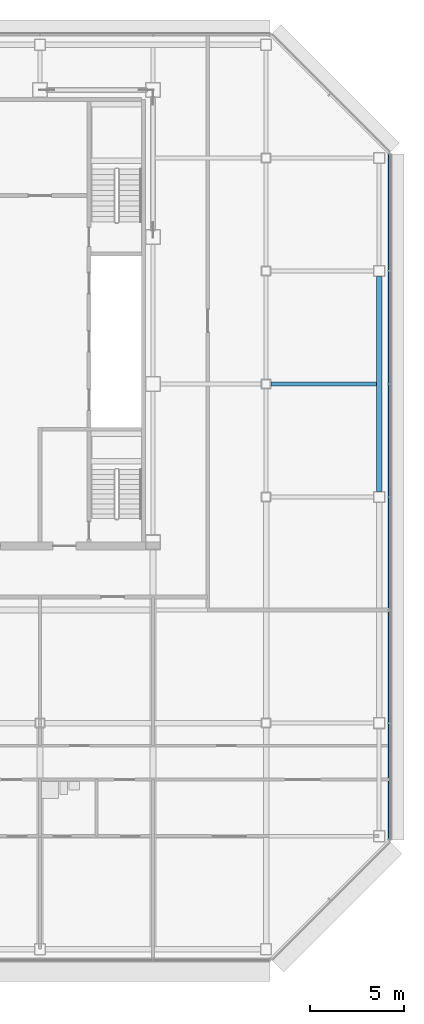
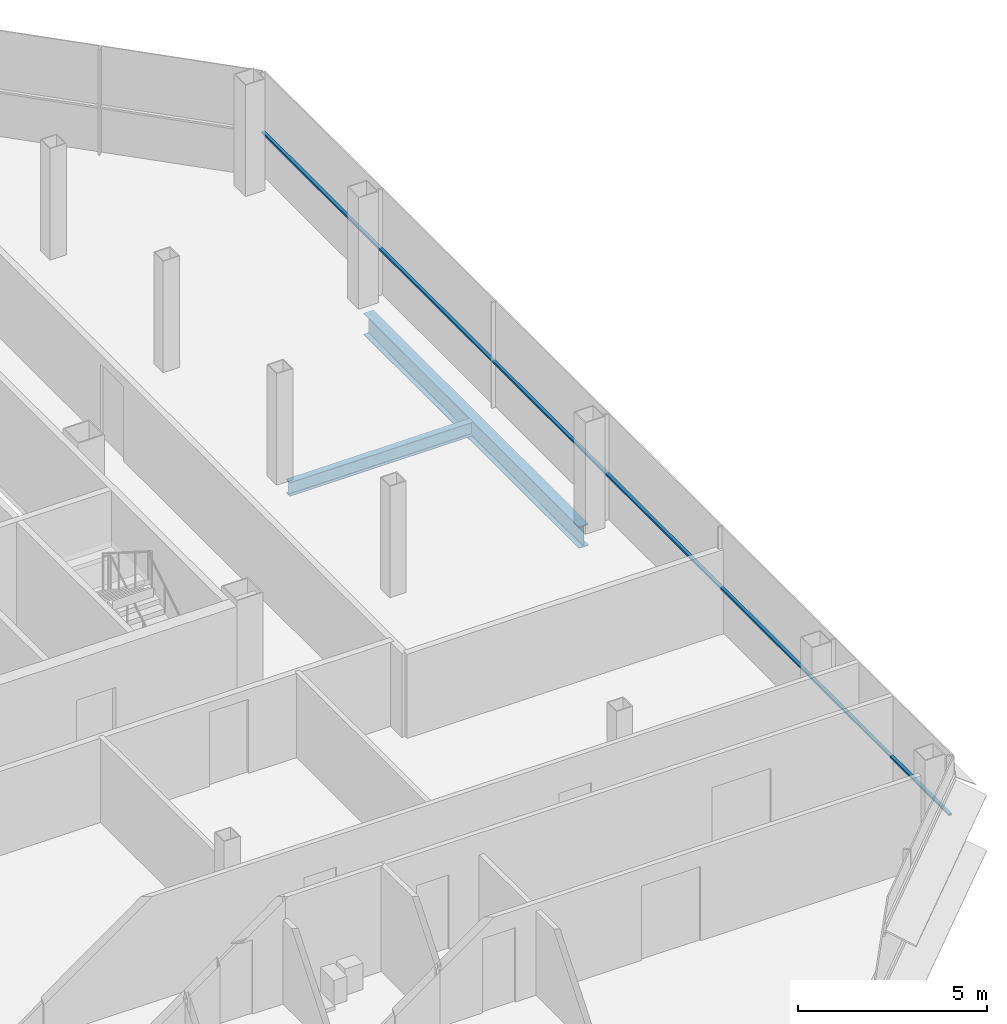
# One storey, part 18 of 28: 2 beams, 1 member, 1 element without a shape of its own.
"""IFC4 building model written with IfcOpenShell, lengths in metres."""

from ifc_helpers import new_model, si_unit, direction, frame, origin, origin_2d, place, context, subcontext, project, spatial, rectangle, i_section, extrude, material, material_profile, profile_set, type_object, element, aggregate, save


model = new_model("IFC4")

# Units and contexts
model_context = context("Model", 3, precision=1e-05, world=origin(), true_north=direction((0.0, 1.0)))
body_context = subcontext(model_context, "Body", "Model", "MODEL_VIEW")
ifc_project = project(units=[si_unit("LENGTHUNIT", "METRE"), si_unit("AREAUNIT", "SQUARE_METRE"), si_unit("VOLUMEUNIT", "CUBIC_METRE"), si_unit("PLANEANGLEUNIT", "RADIAN"), si_unit("MASSUNIT", "GRAM", prefix="KILO")], contexts=[model_context])

# Site, building, storey
site_placement = place(None, origin())
site = spatial("IfcSite", under=ifc_project, at=site_placement, CompositionType="ELEMENT")
building_placement = place(site_placement, origin())
building = spatial("IfcBuilding", under=site, at=building_placement, Name="Sorahane Residences", CompositionType="ELEMENT")
storey_placement = place(building_placement, frame((0.0, 0.0, 250.39990234375)))
storey = spatial("IfcBuildingStorey", under=building, at=storey_placement, Name="L59", CompositionType="ELEMENT", Elevation=250.39990234375)

# Curtain wall, member
ifc_material_1 = material(Name="Dark low-e glass and black anodised aluminium", Category="aluminium")
curtain_wall_type = type_object("IfcCurtainWallType", Name="Curtain wall CW-1 Typical unitised wall", PredefinedType="NOTDEFINED", material=ifc_material_1)
curtain_wall_placement = place(storey_placement, origin())
curtain_wall = element("IfcCurtainWall", 1, at=curtain_wall_placement, inside=storey, type_object=curtain_wall_type, Name="CW-1 curtain wall L59 E1", PredefinedType="NOTDEFINED")
ifc_material_2 = material(Name="Black anodised aluminium", Category="aluminium")
ifc_material_profile_1 = material_profile(ifc_material_2, rectangle(XDim=0.10009765625, YDim=0.06005859375, at=origin_2d()), Name="Curtain wall transom CW-1 black anodised aluminium 60x100")
ifc_profile_set_1 = profile_set([ifc_material_profile_1], Name="Black anodised aluminium")
member_type = type_object("IfcMemberType", Name="Curtain wall transom CW-1 black anodised aluminium 60x100", PredefinedType="USERDEFINED", material=ifc_profile_set_1)
member_placement = place(storey_placement, frame((54.530029296875, 5.801513671875, 1.5), z_axis=(0.0, 1.0, 0.0), x_axis=(-1.0, 0.0, 0.0)))
member = element("IfcMember", 2, at=member_placement, type_object=member_type, Name="CW-1 transom L59 E1", ObjectType="TRANSOM", PredefinedType="USERDEFINED", context=body_context, shape_type="SweptSolid", body=[
    extrude(rectangle(XDim=0.10009765625, YDim=0.06005859375, at=origin_2d()), origin(), (0.0, 0.0, 1.0), 36.39697265625),
])
aggregate(curtain_wall, [member])

# Beams
ifc_material_3 = material(Name="Steel Q355B", Category="steel")
ifc_material_profile_2 = material_profile(ifc_material_3, i_section(OverallWidth=0.199951171875, OverallDepth=0.449951171875, WebThickness=0.009033203125, FlangeThickness=0.013916015625, FilletRadius=0.02001953125, at=origin_2d()), Name="HN 450x200x9x14")
ifc_profile_set_2 = profile_set([ifc_material_profile_2], Name="Steel Q355B")
beam_type_1 = type_object("IfcBeamType", Name="Steel floor beam HN 450x200x9x14 Q355B", PredefinedType="BEAM", material=ifc_profile_set_2)
beam_1_placement = place(storey_placement, frame((48.25, 30.0, -0.40478515625), z_axis=(1.0, 0.0, 0.0), x_axis=(0.0, 1.0, 0.0)))
element("IfcBeam", 3, at=beam_1_placement, inside=storey, type_object=beam_type_1, Name="Beam L59 088", PredefinedType="BEAM", context=body_context, shape_type="SweptSolid", body=[
    extrude(i_section(OverallWidth=0.199951171875, OverallDepth=0.449951171875, WebThickness=0.009033203125, FlangeThickness=0.013916015625, FilletRadius=0.02001953125, at=origin_2d()), origin(), (0.0, 0.0, 1.0), 5.60009765625),
])
ifc_material_4 = material(Name="Steel Q355B", Category="steel")
ifc_material_profile_3 = material_profile(ifc_material_4, i_section(OverallWidth=0.300048828125, OverallDepth=0.699951171875, WebThickness=0.012939453125, FlangeThickness=0.02392578125, FilletRadius=0.028076171875, at=origin_2d()), Name="HN 700x300x13x24")
ifc_profile_set_3 = profile_set([ifc_material_profile_3], Name="Steel Q355B")
beam_type_2 = type_object("IfcBeamType", Name="Steel floor beam HN 700x300x13x24 Q355B", PredefinedType="BEAM", material=ifc_profile_set_3)
beam_2_placement = place(storey_placement, frame((54.0, 24.300048828125, -0.52978515625), z_axis=(0.0, 1.0, 0.0), x_axis=(-1.0, 0.0, 0.0)))
element("IfcBeam", 4, at=beam_2_placement, inside=storey, type_object=beam_type_2, Name="Beam L59 066", PredefinedType="BEAM", context=body_context, shape_type="SweptSolid", body=[
    extrude(i_section(OverallWidth=0.300048828125, OverallDepth=0.699951171875, WebThickness=0.012939453125, FlangeThickness=0.02392578125, FilletRadius=0.028076171875, at=origin_2d()), origin(), (0.0, 0.0, 1.0), 11.39990234375),
])

save(model, "model.ifc")
